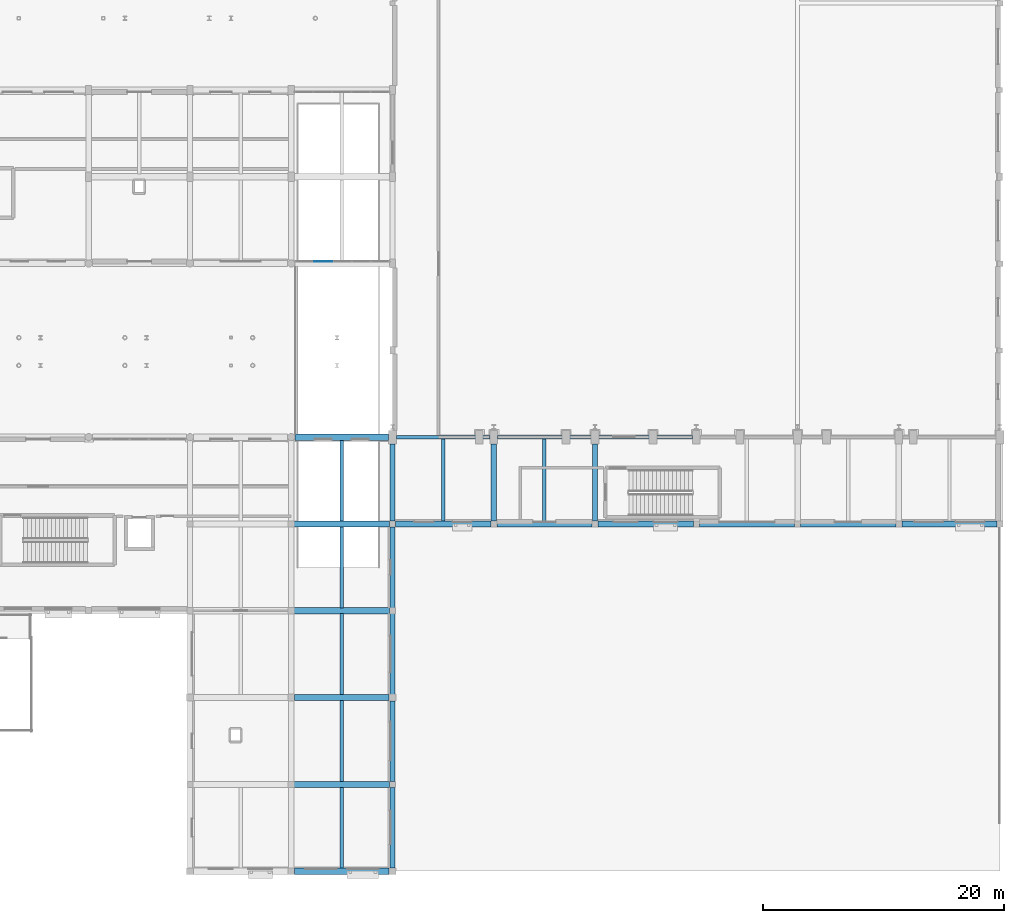
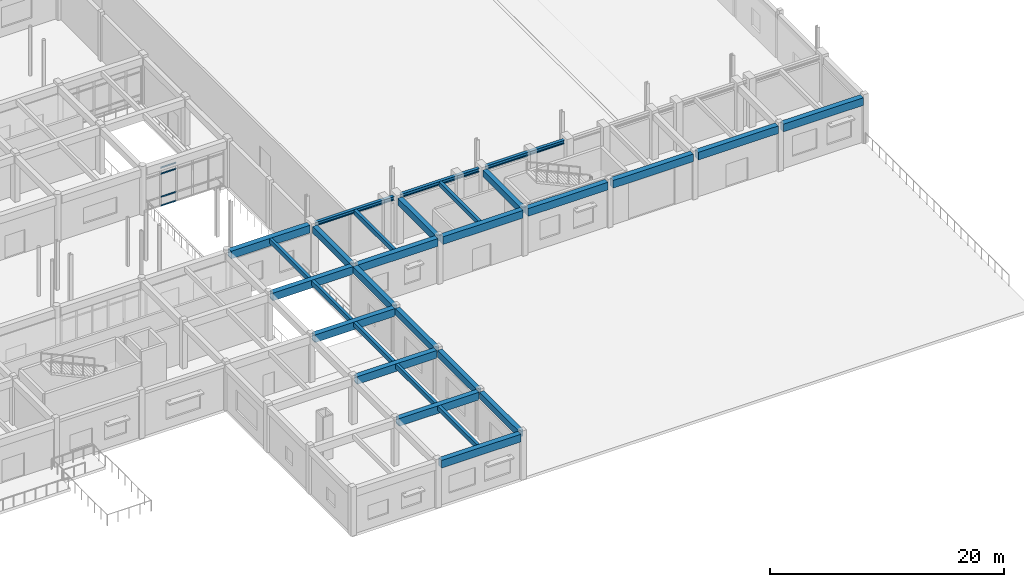
# One storey, part 59 of 121: 29 beams, 4 members, 1 element without a shape of its own.
"""IFC4 building model written with IfcOpenShell, lengths in metres."""

from ifc_helpers import new_model, si_unit, direction, frame, origin, origin_2d, place, context, subcontext, project, spatial, rectangle, i_section, extrude, material, material_profile, profile_set, type_object, element, aggregate, save


model = new_model("IFC4")

# Units and contexts
model_context = context("Model", 3, precision=1e-05, world=origin(), true_north=direction((0.0, 1.0)))
body_context = subcontext(model_context, "Body", "Model", "MODEL_VIEW")
ifc_project = project(units=[si_unit("LENGTHUNIT", "METRE"), si_unit("AREAUNIT", "SQUARE_METRE"), si_unit("VOLUMEUNIT", "CUBIC_METRE"), si_unit("PLANEANGLEUNIT", "RADIAN"), si_unit("MASSUNIT", "GRAM", prefix="KILO")], contexts=[model_context])

# Site, building, storey
site_placement = place(None, origin())
site = spatial("IfcSite", under=ifc_project, at=site_placement, CompositionType="ELEMENT")
building_placement = place(site_placement, origin())
building = spatial("IfcBuilding", under=site, at=building_placement, Name="Malvenik Polytechnic", CompositionType="ELEMENT")
storey_placement = place(building_placement, origin())
storey = spatial("IfcBuildingStorey", under=building, at=storey_placement, Name="L00", CompositionType="ELEMENT", Elevation=0.0)

# Curtain wall, members
ifc_material_1 = material(Name="Anodised aluminium 6060-T6", Category="aluminium")
curtain_wall_type = type_object("IfcCurtainWallType", Name="ARC-CW-CW-01", PredefinedType="NOTDEFINED", material=ifc_material_1)
curtain_wall_placement = place(storey_placement, origin())
curtain_wall = element("IfcCurtainWall", 1, at=curtain_wall_placement, inside=storey, type_object=curtain_wall_type, Name="Unitised Curtain Wall CW-01 L00 #14", PredefinedType="NOTDEFINED")
ifc_material_2 = material(Name="Anodised aluminium", Category="aluminium")
ifc_material_profile_1 = material_profile(ifc_material_2, rectangle(XDim=0.06005859375, YDim=0.139892578125, at=origin_2d()), Name="ALU TRANSOM 60x140")
ifc_profile_set_1 = profile_set([ifc_material_profile_1], Name="Anodised aluminium")
member_type = type_object("IfcMemberType", Name="ARC-CWT-140", PredefinedType="USERDEFINED", material=ifc_profile_set_1)
member_1_placement = place(storey_placement, frame((129.40966796875, 50.570068359375, 0.030029296875), z_axis=(-1.0, 0.0, 0.0), x_axis=(0.0, -1.0, 0.0)))
member_1 = element("IfcMember", 2, at=member_1_placement, type_object=member_type, Name="CW-01 transom 4.1", ObjectType="TRANSOM", PredefinedType="USERDEFINED", context=body_context, shape_type="SweptSolid", body=[
    extrude(rectangle(XDim=0.06005859375, YDim=0.139892578125, at=origin_2d()), origin(), (0.0, 0.0, 1.0), 1.510986328125),
])
member_2_placement = place(storey_placement, frame((129.40966796875, 50.570068359375, 0.949951171875), z_axis=(-1.0, 0.0, 0.0), x_axis=(0.0, -1.0, 0.0)))
member_2 = element("IfcMember", 3, at=member_2_placement, type_object=member_type, Name="CW-01 transom 4.2", ObjectType="TRANSOM", PredefinedType="USERDEFINED", context=body_context, shape_type="SweptSolid", body=[
    extrude(rectangle(XDim=0.06005859375, YDim=0.139892578125, at=origin_2d()), origin(), (0.0, 0.0, 1.0), 1.510986328125),
])
member_3_placement = place(storey_placement, frame((129.40966796875, 50.570068359375, 3.360107421875), z_axis=(-1.0, 0.0, 0.0), x_axis=(0.0, -1.0, 0.0)))
member_3 = element("IfcMember", 4, at=member_3_placement, type_object=member_type, Name="CW-01 transom 4.3", ObjectType="TRANSOM", PredefinedType="USERDEFINED", context=body_context, shape_type="SweptSolid", body=[
    extrude(rectangle(XDim=0.06005859375, YDim=0.139892578125, at=origin_2d()), origin(), (0.0, 0.0, 1.0), 1.510986328125),
])
member_4_placement = place(storey_placement, frame((129.40966796875, 50.570068359375, 3.97998046875), z_axis=(-1.0, 0.0, 0.0), x_axis=(0.0, -1.0, 0.0)))
member_4 = element("IfcMember", 5, at=member_4_placement, type_object=member_type, Name="CW-01 transom 4.4", ObjectType="TRANSOM", PredefinedType="USERDEFINED", context=body_context, shape_type="SweptSolid", body=[
    extrude(rectangle(XDim=0.06005859375, YDim=0.139892578125, at=origin_2d()), origin(), (0.0, 0.0, 1.0), 1.510986328125),
])
aggregate(curtain_wall, [member_1, member_2, member_3, member_4])

# Beams
ifc_material_3 = material(Name="Concrete C35/45", Category="concrete")
ifc_material_profile_2 = material_profile(ifc_material_3, rectangle(XDim=0.5, YDim=0.800048828125, at=origin_2d()), Name="RC BM 500x800")
ifc_profile_set_2 = profile_set([ifc_material_profile_2], Name="Concrete C35/45")
beam_type_1 = type_object("IfcBeamType", Name="STR-BM-B-02", PredefinedType="BEAM", material=ifc_profile_set_2)
beam_1_placement = place(storey_placement, frame((126.248046875, 7.199951171875, 4.419921875), z_axis=(1.0, 0.0, 0.0), x_axis=(0.0, 1.0, 0.0)))
element("IfcBeam", 6, at=beam_1_placement, inside=storey, type_object=beam_type_1, Name="Primary Beam B-02 L00 #535", PredefinedType="BEAM", context=body_context, shape_type="SweptSolid", body=[
    extrude(rectangle(XDim=0.5, YDim=0.800048828125, at=origin_2d()), origin(), (0.0, 0.0, 1.0), 7.904052734375),
])
beam_2_placement = place(storey_placement, frame((126.27294921875, 14.39990234375, 4.419921875), z_axis=(1.0, 0.0, 0.0), x_axis=(0.0, 1.0, 0.0)))
element("IfcBeam", 7, at=beam_2_placement, inside=storey, type_object=beam_type_1, Name="Primary Beam B-02 L00 #537", PredefinedType="BEAM", context=body_context, shape_type="SweptSolid", body=[
    extrude(rectangle(XDim=0.5, YDim=0.800048828125, at=origin_2d()), origin(), (0.0, 0.0, 1.0), 7.85400390625),
])
for number, where, z_axis, x_axis, name in (
    (8, (126.248046875, 21.60009765625, 4.419921875), (1.0, 0.0, 0.0), (0.0, 1.0, 0.0), "Primary Beam B-02 L00 #543"),
    (9, (126.248046875, 28.800048828125, 4.419921875), (1.0, 0.0, 0.0), (0.0, 1.0, 0.0), "Primary Beam B-02 L00 #551"),
):
    element("IfcBeam", number, at=place(storey_placement, frame(where, z_axis=z_axis, x_axis=x_axis)), inside=storey, type_object=beam_type_1, Name=name, PredefinedType="BEAM", context=body_context, shape_type="SweptSolid", body=[
        extrude(rectangle(XDim=0.5, YDim=0.800048828125, at=origin_2d()), origin(), (0.0, 0.0, 1.0), 7.904052734375),
    ])
ifc_material_profile_3 = material_profile(ifc_material_3, rectangle(XDim=0.449951171875, YDim=0.699951171875, at=origin_2d()), Name="RC BM 450x700")
ifc_profile_set_3 = profile_set([ifc_material_profile_3], Name="Concrete C35/45")
beam_type_2 = type_object("IfcBeamType", Name="STR-BM-B-04", PredefinedType="BEAM", material=ifc_profile_set_3)
for number, where, z_axis, x_axis, name in (
    (10, (134.39990234375, 0.27294921875, 4.469970703125), (0.0, 1.0, 0.0), (-1.0, 0.0, 0.0), "Transverse Beam B-04 L00 #836"),
    (11, (134.39990234375, 7.447998046875, 4.469970703125), (0.0, 1.0, 0.0), (-1.0, 0.0, 0.0), "Transverse Beam B-04 L00 #837"),
    (12, (134.39990234375, 14.673095703125, 4.469970703125), (0.0, 1.0, 0.0), (-1.0, 0.0, 0.0), "Transverse Beam B-04 L00 #838"),
):
    element("IfcBeam", number, at=place(storey_placement, frame(where, z_axis=z_axis, x_axis=x_axis)), inside=storey, type_object=beam_type_2, Name=name, PredefinedType="BEAM", context=body_context, shape_type="SweptSolid", body=[
        extrude(rectangle(XDim=0.449951171875, YDim=0.699951171875, at=origin_2d()), origin(), (0.0, 0.0, 1.0), 6.678955078125),
    ])
beam_3_placement = place(storey_placement, frame((134.39990234375, 21.847900390625, 4.469970703125), z_axis=(0.0, 1.0, 0.0), x_axis=(-1.0, 0.0, 0.0)))
element("IfcBeam", 13, at=beam_3_placement, inside=storey, type_object=beam_type_2, Name="Transverse Beam B-04 L00 #839", PredefinedType="BEAM", context=body_context, shape_type="SweptSolid", body=[
    extrude(rectangle(XDim=0.449951171875, YDim=0.699951171875, at=origin_2d()), origin(), (0.0, 0.0, 1.0), 6.7041015625),
])
for number, where, z_axis, x_axis, name in (
    (14, (134.39990234375, 29.048095703125, 4.469970703125), (0.0, 1.0, 0.0), (-1.0, 0.0, 0.0), "Transverse Beam B-04 L00 #840"),
    (15, (142.800048828125, 29.048095703125, 4.469970703125), (0.0, 1.0, 0.0), (-1.0, 0.0, 0.0), "Transverse Beam B-04 L00 #849"),
    (16, (151.199951171875, 29.048095703125, 4.469970703125), (0.0, 1.0, 0.0), (-1.0, 0.0, 0.0), "Transverse Beam B-04 L00 #852"),
):
    element("IfcBeam", number, at=place(storey_placement, frame(where, z_axis=z_axis, x_axis=x_axis)), inside=storey, type_object=beam_type_2, Name=name, PredefinedType="BEAM", context=body_context, shape_type="SweptSolid", body=[
        extrude(rectangle(XDim=0.449951171875, YDim=0.699951171875, at=origin_2d()), origin(), (0.0, 0.0, 1.0), 6.40380859375),
    ])
ifc_material_4 = material(Name="Concrete C30/37", Category="concrete")
ifc_material_profile_4 = material_profile(ifc_material_4, rectangle(XDim=0.280029296875, YDim=0.47998046875, at=origin_2d()), Name="RC JST 280x480")
ifc_profile_set_4 = profile_set([ifc_material_profile_4], Name="Concrete C30/37")
beam_type_3 = type_object("IfcBeamType", Name="STR-BM-J-01", PredefinedType="JOIST", material=ifc_profile_set_4)
beam_4_placement = place(storey_placement, frame((130.199951171875, 0.258056640625, 4.580078125), z_axis=(0.0, 1.0, 0.0), x_axis=(-1.0, 0.0, 0.0)))
element("IfcBeam", 17, at=beam_4_placement, inside=storey, type_object=beam_type_3, Name="Secondary Rib Joist J-01 L00 #933", PredefinedType="JOIST", context=body_context, shape_type="SweptSolid", body=[
    extrude(rectangle(XDim=0.280029296875, YDim=0.47998046875, at=origin_2d()), origin(), (0.0, 0.0, 1.0), 6.69384765625),
])
for number, where, z_axis, x_axis, name in (
    (18, (130.199951171875, 7.447998046875, 4.580078125), (0.0, 1.0, 0.0), (-1.0, 0.0, 0.0), "Secondary Rib Joist J-01 L00 #934"),
    (19, (130.199951171875, 14.64794921875, 4.580078125), (0.0, 1.0, 0.0), (-1.0, 0.0, 0.0), "Secondary Rib Joist J-01 L00 #935"),
    (20, (130.199951171875, 21.847900390625, 4.580078125), (0.0, 1.0, 0.0), (-1.0, 0.0, 0.0), "Secondary Rib Joist J-01 L00 #936"),
):
    element("IfcBeam", number, at=place(storey_placement, frame(where, z_axis=z_axis, x_axis=x_axis)), inside=storey, type_object=beam_type_3, Name=name, PredefinedType="JOIST", context=body_context, shape_type="SweptSolid", body=[
        extrude(rectangle(XDim=0.280029296875, YDim=0.47998046875, at=origin_2d()), origin(), (0.0, 0.0, 1.0), 6.7041015625),
    ])
beam_5_placement = place(storey_placement, frame((130.199951171875, 29.048095703125, 4.580078125), z_axis=(0.0, 1.0, 0.0), x_axis=(-1.0, 0.0, 0.0)))
element("IfcBeam", 21, at=beam_5_placement, inside=storey, type_object=beam_type_3, Name="Secondary Rib Joist J-01 L00 #937", PredefinedType="JOIST", context=body_context, shape_type="SweptSolid", body=[
    extrude(rectangle(XDim=0.280029296875, YDim=0.47998046875, at=origin_2d()), origin(), (0.0, 0.0, 1.0), 6.69384765625),
])
for number, where, z_axis, x_axis, name in (
    (22, (138.60009765625, 29.05810546875, 4.580078125), (0.0, 1.0, 0.0), (-1.0, 0.0, 0.0), "Secondary Rib Joist J-01 L00 #947"),
    (23, (147.0, 29.05810546875, 4.580078125), (0.0, 1.0, 0.0), (-1.0, 0.0, 0.0), "Secondary Rib Joist J-01 L00 #950"),
):
    element("IfcBeam", number, at=place(storey_placement, frame(where, z_axis=z_axis, x_axis=x_axis)), inside=storey, type_object=beam_type_3, Name=name, PredefinedType="JOIST", context=body_context, shape_type="SweptSolid", body=[
        extrude(rectangle(XDim=0.280029296875, YDim=0.47998046875, at=origin_2d()), origin(), (0.0, 0.0, 1.0), 6.7939453125),
    ])
ifc_material_5 = material(Name="Steel S355", Category="steel")
ifc_material_profile_5 = material_profile(ifc_material_5, i_section(OverallWidth=0.300048828125, OverallDepth=0.389892578125, WebThickness=0.010986328125, FlangeThickness=0.01904296875, FilletRadius=0.027099609375, at=origin_2d()), Name="HEA 400")
ifc_profile_set_5 = profile_set([ifc_material_profile_5], Name="Steel S355")
beam_type_4 = type_object("IfcBeamType", Name="STR-BM-SB-05", PredefinedType="BEAM", material=ifc_profile_set_5)
beam_6_placement = place(storey_placement, frame((134.722900390625, 36.0, 4.613037109375), z_axis=(1.0, 0.0, 0.0), x_axis=(0.0, 1.0, 0.0)))
element("IfcBeam", 24, at=beam_6_placement, inside=storey, type_object=beam_type_4, Name="Beam SB-05 #1", PredefinedType="BEAM", context=body_context, shape_type="SweptSolid", body=[
    extrude(i_section(OverallWidth=0.300048828125, OverallDepth=0.389892578125, WebThickness=0.010986328125, FlangeThickness=0.01904296875, FilletRadius=0.027099609375, at=origin_2d()), origin(), (0.0, 0.0, 1.0), 7.754150390625),
])
beam_7_placement = place(storey_placement, frame((143.123046875, 36.0, 4.613037109375), z_axis=(1.0, 0.0, 0.0), x_axis=(0.0, 1.0, 0.0)))
element("IfcBeam", 25, at=beam_7_placement, inside=storey, type_object=beam_type_4, Name="Beam SB-05 #2", PredefinedType="BEAM", context=body_context, shape_type="SweptSolid", body=[
    extrude(i_section(OverallWidth=0.300048828125, OverallDepth=0.389892578125, WebThickness=0.010986328125, FlangeThickness=0.01904296875, FilletRadius=0.027099609375, at=origin_2d()), origin(), (0.0, 0.0, 1.0), 7.75390625),
])
beam_8_placement = place(storey_placement, frame((151.52294921875, 36.0, 4.613037109375), z_axis=(1.0, 0.0, 0.0), x_axis=(0.0, 1.0, 0.0)))
element("IfcBeam", 26, at=beam_8_placement, inside=storey, type_object=beam_type_4, Name="Beam SB-05 #3", PredefinedType="BEAM", context=body_context, shape_type="SweptSolid", body=[
    extrude(i_section(OverallWidth=0.300048828125, OverallDepth=0.389892578125, WebThickness=0.010986328125, FlangeThickness=0.01904296875, FilletRadius=0.027099609375, at=origin_2d()), origin(), (0.0, 0.0, 1.0), 7.754150390625),
])
ifc_material_6 = material(Name="Precast concrete C40/50", Category="concrete")
ifc_material_profile_6 = material_profile(ifc_material_6, rectangle(XDim=0.52001953125, YDim=0.800048828125, at=origin_2d()), Name="PC SPN 520x800")
ifc_profile_set_6 = profile_set([ifc_material_profile_6], Name="Precast concrete C40/50")
beam_type_5 = type_object("IfcBeamType", Name="STR-BM-SP-01", PredefinedType="SPANDREL", material=ifc_profile_set_6)
beam_9_placement = place(storey_placement, frame((126.27294921875, 0.0, 4.419921875), z_axis=(1.0, 0.0, 0.0), x_axis=(0.0, 1.0, 0.0)))
element("IfcBeam", 27, at=beam_9_placement, inside=storey, type_object=beam_type_5, Name="Primary Beam SP-01 L00 #533", PredefinedType="SPANDREL", context=body_context, shape_type="SweptSolid", body=[
    extrude(rectangle(XDim=0.52001953125, YDim=0.800048828125, at=origin_2d()), origin(), (0.0, 0.0, 1.0), 7.85400390625),
])
beam_10_placement = place(storey_placement, frame((134.64794921875, 28.800048828125, 4.419921875), z_axis=(1.0, 0.0, 0.0), x_axis=(0.0, 1.0, 0.0)))
element("IfcBeam", 28, at=beam_10_placement, inside=storey, type_object=beam_type_5, Name="Primary Beam SP-01 L00 #552", PredefinedType="SPANDREL", context=body_context, shape_type="SweptSolid", body=[
    extrude(rectangle(XDim=0.52001953125, YDim=0.800048828125, at=origin_2d()), origin(), (0.0, 0.0, 1.0), 7.904052734375),
])
beam_11_placement = place(storey_placement, frame((143.048095703125, 28.800048828125, 4.419921875), z_axis=(1.0, 0.0, 0.0), x_axis=(0.0, 1.0, 0.0)))
element("IfcBeam", 29, at=beam_11_placement, inside=storey, type_object=beam_type_5, Name="Primary Beam SP-01 L00 #553", PredefinedType="SPANDREL", context=body_context, shape_type="SweptSolid", body=[
    extrude(rectangle(XDim=0.52001953125, YDim=0.800048828125, at=origin_2d()), origin(), (0.0, 0.0, 1.0), 7.90380859375),
])
for number, where, z_axis, x_axis, name in (
    (30, (151.447998046875, 28.800048828125, 4.419921875), (1.0, 0.0, 0.0), (0.0, 1.0, 0.0), "Primary Beam SP-01 L00 #554"),
    (31, (159.847900390625, 28.800048828125, 4.419921875), (1.0, 0.0, 0.0), (0.0, 1.0, 0.0), "Primary Beam SP-01 L00 #555"),
    (32, (168.248046875, 28.800048828125, 4.419921875), (1.0, 0.0, 0.0), (0.0, 1.0, 0.0), "Primary Beam SP-01 L00 #556"),
    (33, (176.64794921875, 28.800048828125, 4.419921875), (1.0, 0.0, 0.0), (0.0, 1.0, 0.0), "Primary Beam SP-01 L00 #557"),
):
    element("IfcBeam", number, at=place(storey_placement, frame(where, z_axis=z_axis, x_axis=x_axis)), inside=storey, type_object=beam_type_5, Name=name, PredefinedType="SPANDREL", context=body_context, shape_type="SweptSolid", body=[
        extrude(rectangle(XDim=0.52001953125, YDim=0.800048828125, at=origin_2d()), origin(), (0.0, 0.0, 1.0), 7.904052734375),
    ])
beam_12_placement = place(storey_placement, frame((126.298095703125, 36.0, 4.419921875), z_axis=(1.0, 0.0, 0.0), x_axis=(0.0, 1.0, 0.0)))
element("IfcBeam", 34, at=beam_12_placement, inside=storey, type_object=beam_type_5, Name="Primary Beam SP-01 L00 #568", PredefinedType="SPANDREL", context=body_context, shape_type="SweptSolid", body=[
    extrude(rectangle(XDim=0.52001953125, YDim=0.800048828125, at=origin_2d()), origin(), (0.0, 0.0, 1.0), 7.77880859375),
])

save(model, "model.ifc")
